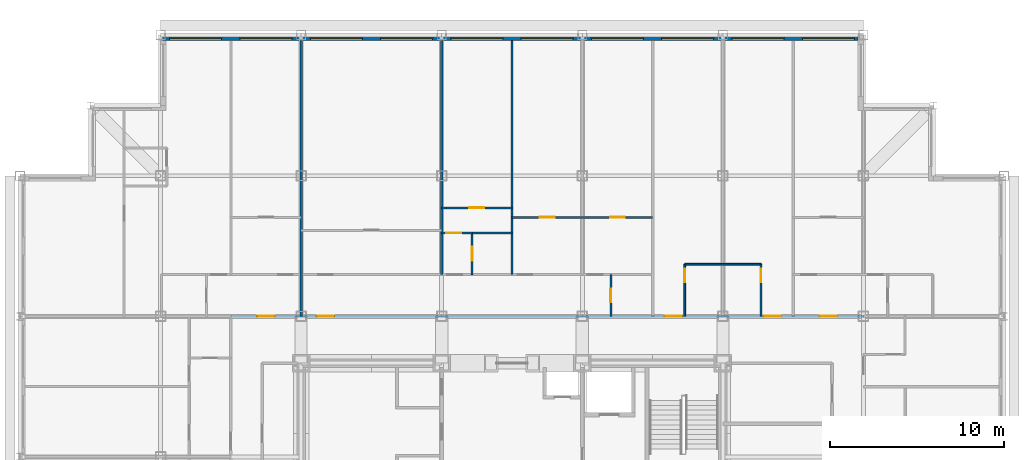
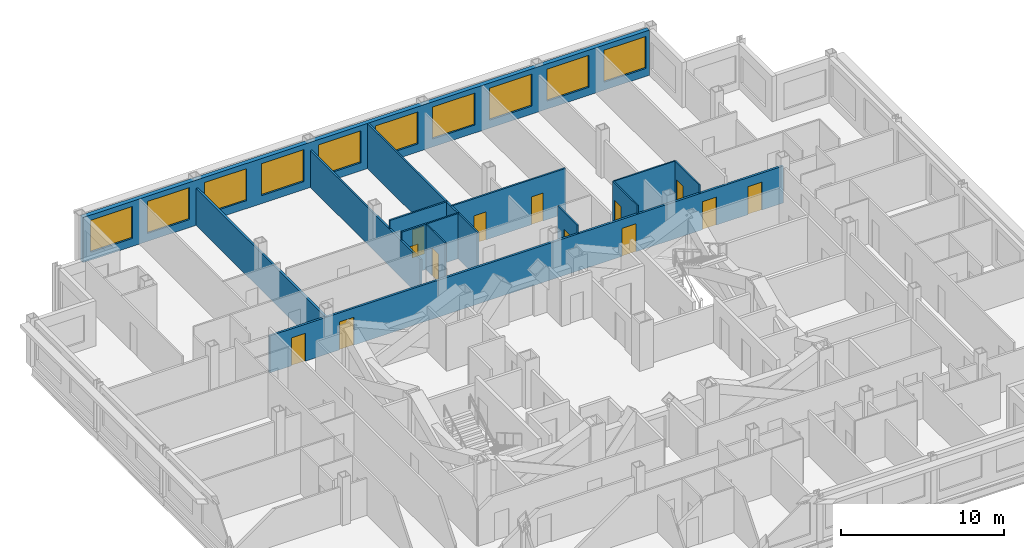
# One storey, part 10 of 12: 14 walls, 13 doors, 10 windows, 23 openings.
"""IFC4 building model written with IfcOpenShell, lengths in metres."""

from ifc_helpers import new_model, si_unit, direction, frame, frame_2d, origin, place, context, subcontext, project, spatial, rectangle, extrude, material, layer, layer_set, type_object, element, fill, save


model = new_model("IFC4")

# Units and contexts
model_context = context("Model", 3, precision=1e-05, world=origin(), true_north=direction((0.0, 1.0)))
body_context = subcontext(model_context, "Body", "Model", "MODEL_VIEW")
ifc_project = project(units=[si_unit("LENGTHUNIT", "METRE"), si_unit("AREAUNIT", "SQUARE_METRE"), si_unit("VOLUMEUNIT", "CUBIC_METRE"), si_unit("PLANEANGLEUNIT", "RADIAN"), si_unit("MASSUNIT", "GRAM", prefix="KILO")], contexts=[model_context])

# Site, building, storey
site_placement = place(None, origin())
site = spatial("IfcSite", under=ifc_project, at=site_placement, CompositionType="ELEMENT")
building_placement = place(site_placement, origin())
building = spatial("IfcBuilding", under=site, at=building_placement, Name="Kopane Lantern Tower", CompositionType="ELEMENT")
storey_placement = place(building_placement, frame((0.0, 0.0, 213.60009765625)))
storey = spatial("IfcBuildingStorey", under=building, at=storey_placement, Name="L55", CompositionType="ELEMENT", Elevation=213.60009765625)

# Walls
ifc_material_1 = material(Name="Gypsum board on steel studs", Category="steel")
ifc_layer_1 = layer(ifc_material_1, 0.1201171875)
ifc_layer_set_1 = layer_set([ifc_layer_1], Name="APARTMENT INTERNAL WALL 120")
wall_type_1 = type_object("IfcWallType", Name="APARTMENT INTERNAL WALL 120", PredefinedType="PARTITIONING", material=ifc_layer_set_1)
wall_1_placement = place(storey_placement, frame((24.300048828125, 45.60009765625, 0.0), z_axis=(0.0, 0.0, 1.0), x_axis=(0.0, 1.0, 0.0)))
element("IfcWall", 1, at=wall_1_placement, inside=storey, type_object=wall_type_1, Name="Apartment Internal Wall 120 L55", PredefinedType="PARTITIONING", context=body_context, shape_type="SweptSolid", body=[
    extrude(rectangle(XDim=13.5, YDim=0.1201171875, at=frame_2d((6.75, 0.0))), origin(), (0.0, 0.0, 1.0), 2.777587890625),
])
wall_2_placement = place(storey_placement, frame((28.35009765625, 45.60009765625, 0.0), z_axis=(0.0, 0.0, 1.0), x_axis=(0.0, 1.0, 0.0)))
element("IfcWall", 2, at=wall_2_placement, inside=storey, type_object=wall_type_1, Name="Apartment Internal Wall 120 L55", PredefinedType="PARTITIONING", context=body_context, shape_type="SweptSolid", body=[
    extrude(rectangle(XDim=13.5, YDim=0.1201171875, at=frame_2d((6.75, 0.0))), origin(), (0.0, 0.0, 1.0), 3.389892578125),
])

# Wall, opening, door
wall_3_placement = place(storey_placement, frame((24.300048828125, 48.0, 0.0), z_axis=(0.0, 0.0, 1.0), x_axis=(1.0, 0.0, 0.0)))
wall_3 = element("IfcWall", 3, at=wall_3_placement, inside=storey, type_object=wall_type_1, Name="Apartment Internal Wall 120 L55", PredefinedType="PARTITIONING", context=body_context, shape_type="SweptSolid", body=[
    extrude(rectangle(XDim=1.760009765625, YDim=0.1201171875, at=frame_2d((0.8798828125, 0.0))), origin(), (0.0, 0.0, 1.0), 3.389892578125),
])
opening_1_placement = place(wall_3_placement, frame((0.27490234375, 0.0, 0.0)))
opening_1 = element("IfcOpeningElement", 4, at=opening_1_placement, cuts=wall_3, Name="Opening L55-070", PredefinedType="OPENING", context=body_context, shape_type="SweptSolid", body=[
    extrude(rectangle(XDim=0.85009765625, YDim=2.10009765625, at=frame_2d((0.425048828125, 1.050048828125))), frame((0.0, 0.070068359375, 0.0), z_axis=(0.0, -1.0, 0.0), x_axis=(1.0, 0.0, 0.0)), (0.0, 0.0, 1.0), 0.14013671875),
])
ifc_material_2 = material(Name="Timber door set", Category="wood")
door_type_1 = type_object("IfcDoorType", Name="DOOR D4 850x2100", OperationType="SINGLE_SWING_LEFT", PredefinedType="DOOR", material=ifc_material_2)
door_1_placement = place(opening_1_placement, origin())
door_1 = element("IfcDoor", 5, at=door_1_placement, inside=storey, type_object=door_type_1, Name="Door L55-070", OperationType="SINGLE_SWING_LEFT", OverallHeight=2.10009765625, OverallWidth=0.85009765625, PredefinedType="DOOR", context=body_context, shape_type="SweptSolid", body=[
    extrude(rectangle(XDim=0.85009765625, YDim=2.10009765625, at=frame_2d((0.425048828125, 1.050048828125))), frame((0.0, 0.02490234375, 0.0), z_axis=(0.0, -1.0, 0.0), x_axis=(1.0, 0.0, 0.0)), (0.0, 0.0, 1.0), 0.050048828125),
])
fill(opening_1, door_1)

wall_4_placement = place(storey_placement, frame((24.300048828125, 49.449951171875, 0.0), z_axis=(0.0, 0.0, 1.0), x_axis=(1.0, 0.0, 0.0)))
wall_4 = element("IfcWall", 6, at=wall_4_placement, inside=storey, type_object=wall_type_1, Name="Apartment Internal Wall 120 L55", PredefinedType="PARTITIONING", context=body_context, shape_type="SweptSolid", body=[
    extrude(rectangle(XDim=4.050048828125, YDim=0.1201171875, at=frame_2d((2.02490234375, 0.0))), origin(), (0.0, 0.0, 1.0), 3.389892578125),
])
opening_2_placement = place(wall_4_placement, frame((1.60009765625, 0.0, 0.0)))
opening_2 = element("IfcOpeningElement", 7, at=opening_2_placement, cuts=wall_4, Name="Opening L55-074", PredefinedType="OPENING", context=body_context, shape_type="SweptSolid", body=[
    extrude(rectangle(XDim=0.85009765625, YDim=2.10009765625, at=frame_2d((0.425048828125, 1.050048828125))), frame((0.0, 0.070068359375, 0.0), z_axis=(0.0, -1.0, 0.0), x_axis=(1.0, 0.0, 0.0)), (0.0, 0.0, 1.0), 0.14013671875),
])
door_2_placement = place(opening_2_placement, origin())
door_2 = element("IfcDoor", 8, at=door_2_placement, inside=storey, type_object=door_type_1, Name="Door L55-074", OperationType="SINGLE_SWING_RIGHT", OverallHeight=2.10009765625, OverallWidth=0.85009765625, PredefinedType="DOOR", context=body_context, shape_type="SweptSolid", body=[
    extrude(rectangle(XDim=0.85009765625, YDim=2.10009765625, at=frame_2d((0.425048828125, 1.050048828125))), frame((0.0, 0.02490234375, 0.0), z_axis=(0.0, -1.0, 0.0), x_axis=(1.0, 0.0, 0.0)), (0.0, 0.0, 1.0), 0.050048828125),
])
fill(opening_2, door_2)

# Wall, openings, doors
wall_5_placement = place(storey_placement, frame((28.35009765625, 48.89990234375, 0.0), z_axis=(0.0, 0.0, 1.0), x_axis=(1.0, 0.0, 0.0)))
wall_5 = element("IfcWall", 9, at=wall_5_placement, inside=storey, type_object=wall_type_1, Name="Apartment Internal Wall 120 L55", PredefinedType="PARTITIONING", context=body_context, shape_type="SweptSolid", body=[
    extrude(rectangle(XDim=8.099853515625, YDim=0.1201171875, at=frame_2d((4.0498046875, 0.0))), origin(), (0.0, 0.0, 1.0), 3.389892578125),
])
opening_3_placement = place(wall_5_placement, frame((1.60009765625, 0.0, 0.0)))
opening_3 = element("IfcOpeningElement", 10, at=opening_3_placement, cuts=wall_5, Name="Opening L55-075", PredefinedType="OPENING", context=body_context, shape_type="SweptSolid", body=[
    extrude(rectangle(XDim=0.85009765625, YDim=2.10009765625, at=frame_2d((0.425048828125, 1.050048828125))), frame((0.0, 0.070068359375, 0.0), z_axis=(0.0, -1.0, 0.0), x_axis=(1.0, 0.0, 0.0)), (0.0, 0.0, 1.0), 0.14013671875),
])
opening_4_placement = place(wall_5_placement, frame((5.64990234375, 0.0, 0.0)))
opening_4 = element("IfcOpeningElement", 11, at=opening_4_placement, cuts=wall_5, Name="Opening L55-076", PredefinedType="OPENING", context=body_context, shape_type="SweptSolid", body=[
    extrude(rectangle(XDim=0.85009765625, YDim=2.10009765625, at=frame_2d((0.425048828125, 1.050048828125))), frame((0.0, 0.070068359375, 0.0), z_axis=(0.0, -1.0, 0.0), x_axis=(1.0, 0.0, 0.0)), (0.0, 0.0, 1.0), 0.14013671875),
])
door_3_placement = place(opening_3_placement, origin())
door_3 = element("IfcDoor", 12, at=door_3_placement, inside=storey, type_object=door_type_1, Name="Door L55-075", OperationType="SINGLE_SWING_RIGHT", OverallHeight=2.10009765625, OverallWidth=0.85009765625, PredefinedType="DOOR", context=body_context, shape_type="SweptSolid", body=[
    extrude(rectangle(XDim=0.85009765625, YDim=2.10009765625, at=frame_2d((0.425048828125, 1.050048828125))), frame((0.0, 0.02490234375, 0.0), z_axis=(0.0, -1.0, 0.0), x_axis=(1.0, 0.0, 0.0)), (0.0, 0.0, 1.0), 0.050048828125),
])
fill(opening_3, door_3)
door_4_placement = place(opening_4_placement, origin())
door_4 = element("IfcDoor", 13, at=door_4_placement, inside=storey, type_object=door_type_1, Name="Door L55-076", OperationType="SINGLE_SWING_LEFT", OverallHeight=2.10009765625, OverallWidth=0.85009765625, PredefinedType="DOOR", context=body_context, shape_type="SweptSolid", body=[
    extrude(rectangle(XDim=0.85009765625, YDim=2.10009765625, at=frame_2d((0.425048828125, 1.050048828125))), frame((0.0, 0.02490234375, 0.0), z_axis=(0.0, -1.0, 0.0), x_axis=(1.0, 0.0, 0.0)), (0.0, 0.0, 1.0), 0.050048828125),
])
fill(opening_4, door_4)

# Wall, opening, door
ifc_material_3 = material(Name="Moisture-resistant board on steel studs", Category="steel")
ifc_layer_2 = layer(ifc_material_3, 0.10009765625)
ifc_layer_set_2 = layer_set([ifc_layer_2], Name="BATHROOM WALL 100")
wall_type_2 = type_object("IfcWallType", Name="BATHROOM WALL 100", PredefinedType="PARTITIONING", material=ifc_layer_set_2)
wall_6_placement = place(storey_placement, frame((34.050048828125, 43.199951171875, 0.0), z_axis=(0.0, 0.0, 1.0), x_axis=(0.0, 1.0, 0.0)))
wall_6 = element("IfcWall", 14, at=wall_6_placement, inside=storey, type_object=wall_type_2, Name="Bathroom Wall 100 L55", PredefinedType="PARTITIONING", context=body_context, shape_type="SweptSolid", body=[
    extrude(rectangle(XDim=2.400146484375, YDim=0.10009765625, at=frame_2d((1.2001953125, 0.0))), origin(), (0.0, 0.0, 1.0), 3.389892578125),
])
opening_5_placement = place(wall_6_placement, frame((0.800048828125, 0.0, 0.0)))
opening_5 = element("IfcOpeningElement", 15, at=opening_5_placement, cuts=wall_6, Name="Opening L55-024", PredefinedType="OPENING", context=body_context, shape_type="SweptSolid", body=[
    extrude(rectangle(XDim=0.800048828125, YDim=2.10009765625, at=frame_2d((0.39990234375, 1.050048828125))), frame((0.0, 0.06005859375, 0.0), z_axis=(0.0, -1.0, 0.0), x_axis=(1.0, 0.0, 0.0)), (0.0, 0.0, 1.0), 0.1201171875),
])
ifc_material_4 = material(Name="Timber door set", Category="wood")
door_type_2 = type_object("IfcDoorType", Name="DOOR D2 800x2100", OperationType="SINGLE_SWING_LEFT", PredefinedType="DOOR", material=ifc_material_4)
door_5_placement = place(opening_5_placement, origin())
door_5 = element("IfcDoor", 16, at=door_5_placement, inside=storey, type_object=door_type_2, Name="Door L55-024", OperationType="SINGLE_SWING_RIGHT", OverallHeight=2.10009765625, OverallWidth=0.800048828125, PredefinedType="DOOR", context=body_context, shape_type="SweptSolid", body=[
    extrude(rectangle(XDim=0.800048828125, YDim=2.10009765625, at=frame_2d((0.39990234375, 1.050048828125))), frame((0.0, 0.02490234375, 0.0), z_axis=(0.0, -1.0, 0.0), x_axis=(1.0, 0.0, 0.0)), (0.0, 0.0, 1.0), 0.050048828125),
])
fill(opening_5, door_5)

wall_7_placement = place(storey_placement, frame((26.050048828125, 45.60009765625, 0.0), z_axis=(0.0, 0.0, 1.0), x_axis=(0.0, 1.0, 0.0)))
wall_7 = element("IfcWall", 17, at=wall_7_placement, inside=storey, type_object=wall_type_2, Name="Bathroom Wall 100 L55", PredefinedType="PARTITIONING", context=body_context, shape_type="SweptSolid", body=[
    extrude(rectangle(XDim=2.39990234375, YDim=0.10009765625, at=frame_2d((1.199951171875, 0.0))), origin(), (0.0, 0.0, 1.0), 3.389892578125),
])
opening_6_placement = place(wall_7_placement, frame((0.800048828125, 0.0, 0.0)))
opening_6 = element("IfcOpeningElement", 18, at=opening_6_placement, cuts=wall_7, Name="Opening L55-027", PredefinedType="OPENING", context=body_context, shape_type="SweptSolid", body=[
    extrude(rectangle(XDim=0.800048828125, YDim=2.10009765625, at=frame_2d((0.39990234375, 1.050048828125))), frame((0.0, 0.06005859375, 0.0), z_axis=(0.0, -1.0, 0.0), x_axis=(1.0, 0.0, 0.0)), (0.0, 0.0, 1.0), 0.1201171875),
])
door_6_placement = place(opening_6_placement, origin())
door_6 = element("IfcDoor", 19, at=door_6_placement, inside=storey, type_object=door_type_2, Name="Door L55-027", OperationType="SINGLE_SWING_RIGHT", OverallHeight=2.10009765625, OverallWidth=0.800048828125, PredefinedType="DOOR", context=body_context, shape_type="SweptSolid", body=[
    extrude(rectangle(XDim=0.800048828125, YDim=2.10009765625, at=frame_2d((0.39990234375, 1.050048828125))), frame((0.0, 0.02490234375, 0.0), z_axis=(0.0, -1.0, 0.0), x_axis=(1.0, 0.0, 0.0)), (0.0, 0.0, 1.0), 0.050048828125),
])
fill(opening_6, door_6)

# Walls
wall_8_placement = place(storey_placement, frame((26.050048828125, 48.0, 0.0), z_axis=(0.0, 0.0, 1.0), x_axis=(1.0, 0.0, 0.0)))
element("IfcWall", 20, at=wall_8_placement, inside=storey, type_object=wall_type_2, Name="Bathroom Wall 100 L55", PredefinedType="PARTITIONING", context=body_context, shape_type="SweptSolid", body=[
    extrude(rectangle(XDim=2.300048828125, YDim=0.10009765625, at=frame_2d((1.14990234375, 0.0))), origin(), (0.0, 0.0, 1.0), 3.389892578125),
])
wall_9_placement = place(storey_placement, frame((38.300048828125, 46.199951171875, 0.0), z_axis=(0.0, 0.0, 1.0), x_axis=(1.0, 0.0, 0.0)))
element("IfcWall", 21, at=wall_9_placement, inside=storey, type_object=wall_type_2, Name="Bathroom Wall 100 L55", PredefinedType="PARTITIONING", context=body_context, shape_type="SweptSolid", body=[
    extrude(rectangle(XDim=4.39990234375, YDim=0.10009765625, at=frame_2d((2.199951171875, 0.0))), origin(), (0.0, 0.0, 1.0), 3.389892578125),
])

# Wall, opening, door
wall_10_placement = place(storey_placement, frame((38.300048828125, 43.199951171875, 0.0), z_axis=(0.0, 0.0, 1.0), x_axis=(0.0, 1.0, 0.0)))
wall_10 = element("IfcWall", 22, at=wall_10_placement, inside=storey, type_object=wall_type_2, Name="Bathroom Wall 100 L55", PredefinedType="PARTITIONING", context=body_context, shape_type="SweptSolid", body=[
    extrude(rectangle(XDim=3.0, YDim=0.10009765625, at=frame_2d((1.5, 0.0))), origin(), (0.0, 0.0, 1.0), 3.389892578125),
])
opening_7_placement = place(wall_10_placement, frame((1.949951171875, 0.0, 0.0)))
opening_7 = element("IfcOpeningElement", 23, at=opening_7_placement, cuts=wall_10, Name="Opening L55-031", PredefinedType="OPENING", context=body_context, shape_type="SweptSolid", body=[
    extrude(rectangle(XDim=0.800048828125, YDim=2.10009765625, at=frame_2d((0.39990234375, 1.050048828125))), frame((0.0, 0.06005859375, 0.0), z_axis=(0.0, -1.0, 0.0), x_axis=(1.0, 0.0, 0.0)), (0.0, 0.0, 1.0), 0.1201171875),
])
door_7_placement = place(opening_7_placement, origin())
door_7 = element("IfcDoor", 24, at=door_7_placement, inside=storey, type_object=door_type_2, Name="Door L55-031", OperationType="SINGLE_SWING_LEFT", OverallHeight=2.10009765625, OverallWidth=0.800048828125, PredefinedType="DOOR", context=body_context, shape_type="SweptSolid", body=[
    extrude(rectangle(XDim=0.800048828125, YDim=2.10009765625, at=frame_2d((0.39990234375, 1.050048828125))), frame((0.0, 0.02490234375, 0.0), z_axis=(0.0, -1.0, 0.0), x_axis=(1.0, 0.0, 0.0)), (0.0, 0.0, 1.0), 0.050048828125),
])
fill(opening_7, door_7)

wall_11_placement = place(storey_placement, frame((42.699951171875, 43.199951171875, 0.0), z_axis=(0.0, 0.0, 1.0), x_axis=(0.0, 1.0, 0.0)))
wall_11 = element("IfcWall", 25, at=wall_11_placement, inside=storey, type_object=wall_type_2, Name="Bathroom Wall 100 L55", PredefinedType="PARTITIONING", context=body_context, shape_type="SweptSolid", body=[
    extrude(rectangle(XDim=3.0, YDim=0.10009765625, at=frame_2d((1.5, 0.0))), origin(), (0.0, 0.0, 1.0), 3.389892578125),
])
opening_8_placement = place(wall_11_placement, frame((1.949951171875, 0.0, 0.0)))
opening_8 = element("IfcOpeningElement", 26, at=opening_8_placement, cuts=wall_11, Name="Opening L55-033", PredefinedType="OPENING", context=body_context, shape_type="SweptSolid", body=[
    extrude(rectangle(XDim=0.800048828125, YDim=2.10009765625, at=frame_2d((0.39990234375, 1.050048828125))), frame((0.0, 0.06005859375, 0.0), z_axis=(0.0, -1.0, 0.0), x_axis=(1.0, 0.0, 0.0)), (0.0, 0.0, 1.0), 0.1201171875),
])
door_8_placement = place(opening_8_placement, origin())
door_8 = element("IfcDoor", 27, at=door_8_placement, inside=storey, type_object=door_type_2, Name="Door L55-033", OperationType="SINGLE_SWING_RIGHT", OverallHeight=2.10009765625, OverallWidth=0.800048828125, PredefinedType="DOOR", context=body_context, shape_type="SweptSolid", body=[
    extrude(rectangle(XDim=0.800048828125, YDim=2.10009765625, at=frame_2d((0.39990234375, 1.050048828125))), frame((0.0, 0.02490234375, 0.0), z_axis=(0.0, -1.0, 0.0), x_axis=(1.0, 0.0, 0.0)), (0.0, 0.0, 1.0), 0.050048828125),
])
fill(opening_8, door_8)

# Wall, openings, doors
ifc_material_5 = material(Name="Gypsum board on steel studs", Category="steel")
ifc_layer_3 = layer(ifc_material_5, 0.14990234375)
ifc_layer_set_3 = layer_set([ifc_layer_3], Name="CORRIDOR WALL 150 EI 60")
wall_type_3 = type_object("IfcWallType", Name="CORRIDOR WALL 150 EI 60", PredefinedType="PARTITIONING", material=ifc_layer_set_3)
wall_12_placement = place(storey_placement, frame((12.14990234375, 43.199951171875, 0.0), z_axis=(0.0, 0.0, 1.0), x_axis=(1.0, 0.0, 0.0)))
wall_12 = element("IfcWall", 28, at=wall_12_placement, inside=storey, type_object=wall_type_3, Name="Corridor Wall 150 Ei 60 L55", PredefinedType="PARTITIONING", context=body_context, shape_type="SweptSolid", body=[
    extrude(rectangle(XDim=36.4501953125, YDim=0.14990234375, at=frame_2d((18.22509765625, 0.0))), origin(), (0.0, 0.0, 1.0), 2.777587890625),
])
opening_9_placement = place(wall_12_placement, frame((4.949951171875, 0.0, 0.0)))
opening_9 = element("IfcOpeningElement", 29, at=opening_9_placement, cuts=wall_12, Name="Opening L55-025", PredefinedType="OPENING", context=body_context, shape_type="SweptSolid", body=[
    extrude(rectangle(XDim=1.0, YDim=2.10009765625, at=frame_2d((0.5, 1.050048828125))), frame((0.0, 0.0849609375, 0.0), z_axis=(0.0, -1.0, 0.0), x_axis=(1.0, 0.0, 0.0)), (0.0, 0.0, 1.0), 0.169921875),
])
opening_10_placement = place(wall_12_placement, frame((25.0, 0.0, 0.0)))
opening_10 = element("IfcOpeningElement", 30, at=opening_10_placement, cuts=wall_12, Name="Opening L55-032", PredefinedType="OPENING", context=body_context, shape_type="SweptSolid", body=[
    extrude(rectangle(XDim=1.0, YDim=2.10009765625, at=frame_2d((0.5, 1.050048828125))), frame((0.0, 0.0849609375, 0.0), z_axis=(0.0, -1.0, 0.0), x_axis=(1.0, 0.0, 0.0)), (0.0, 0.0, 1.0), 0.169921875),
])
opening_11_placement = place(wall_12_placement, frame((30.699951171875, 0.0, 0.0)))
opening_11 = element("IfcOpeningElement", 31, at=opening_11_placement, cuts=wall_12, Name="Opening L55-034", PredefinedType="OPENING", context=body_context, shape_type="SweptSolid", body=[
    extrude(rectangle(XDim=1.0, YDim=2.10009765625, at=frame_2d((0.5, 1.050048828125))), frame((0.0, 0.0849609375, 0.0), z_axis=(0.0, -1.0, 0.0), x_axis=(1.0, 0.0, 0.0)), (0.0, 0.0, 1.0), 0.169921875),
])
opening_12_placement = place(wall_12_placement, frame((33.925048828125, 0.0, 0.0)))
opening_12 = element("IfcOpeningElement", 32, at=opening_12_placement, cuts=wall_12, Name="Opening L55-061", PredefinedType="OPENING", context=body_context, shape_type="SweptSolid", body=[
    extrude(rectangle(XDim=1.0, YDim=2.10009765625, at=frame_2d((0.5, 1.050048828125))), frame((0.0, 0.0849609375, 0.0), z_axis=(0.0, -1.0, 0.0), x_axis=(1.0, 0.0, 0.0)), (0.0, 0.0, 1.0), 0.169921875),
])
opening_13_placement = place(wall_12_placement, frame((1.52490234375, 0.0, 0.0)))
opening_13 = element("IfcOpeningElement", 33, at=opening_13_placement, cuts=wall_12, Name="Opening L55-065", PredefinedType="OPENING", context=body_context, shape_type="SweptSolid", body=[
    extrude(rectangle(XDim=1.0, YDim=2.10009765625, at=frame_2d((0.5, 1.050048828125))), frame((0.0, 0.0849609375, 0.0), z_axis=(0.0, -1.0, 0.0), x_axis=(1.0, 0.0, 0.0)), (0.0, 0.0, 1.0), 0.169921875),
])
ifc_material_6 = material(Name="Steel door set", Category="steel")
door_type_3 = type_object("IfcDoorType", Name="DOOR D3 1000x2100 FD30S", OperationType="SINGLE_SWING_LEFT", PredefinedType="DOOR", material=ifc_material_6)
door_9_placement = place(opening_9_placement, origin())
door_9 = element("IfcDoor", 34, at=door_9_placement, inside=storey, type_object=door_type_3, Name="Door L55-025", OperationType="SINGLE_SWING_LEFT", OverallHeight=2.10009765625, OverallWidth=1.0, PredefinedType="DOOR", context=body_context, shape_type="SweptSolid", body=[
    extrude(rectangle(XDim=1.0, YDim=2.10009765625, at=frame_2d((0.5, 1.050048828125))), frame((0.0, 0.02490234375, 0.0), z_axis=(0.0, -1.0, 0.0), x_axis=(1.0, 0.0, 0.0)), (0.0, 0.0, 1.0), 0.050048828125),
])
fill(opening_9, door_9)
door_10_placement = place(opening_10_placement, origin())
door_10 = element("IfcDoor", 35, at=door_10_placement, inside=storey, type_object=door_type_3, Name="Door L55-032", OperationType="SINGLE_SWING_RIGHT", OverallHeight=2.10009765625, OverallWidth=1.0, PredefinedType="DOOR", context=body_context, shape_type="SweptSolid", body=[
    extrude(rectangle(XDim=1.0, YDim=2.10009765625, at=frame_2d((0.5, 1.050048828125))), frame((0.0, 0.02490234375, 0.0), z_axis=(0.0, -1.0, 0.0), x_axis=(1.0, 0.0, 0.0)), (0.0, 0.0, 1.0), 0.050048828125),
])
fill(opening_10, door_10)
door_11_placement = place(opening_11_placement, origin())
door_11 = element("IfcDoor", 36, at=door_11_placement, inside=storey, type_object=door_type_3, Name="Door L55-034", OperationType="SINGLE_SWING_LEFT", OverallHeight=2.10009765625, OverallWidth=1.0, PredefinedType="DOOR", context=body_context, shape_type="SweptSolid", body=[
    extrude(rectangle(XDim=1.0, YDim=2.10009765625, at=frame_2d((0.5, 1.050048828125))), frame((0.0, 0.02490234375, 0.0), z_axis=(0.0, -1.0, 0.0), x_axis=(1.0, 0.0, 0.0)), (0.0, 0.0, 1.0), 0.050048828125),
])
fill(opening_11, door_11)
door_12_placement = place(opening_12_placement, origin())
door_12 = element("IfcDoor", 37, at=door_12_placement, inside=storey, type_object=door_type_3, Name="Door L55-061", OperationType="SINGLE_SWING_LEFT", OverallHeight=2.10009765625, OverallWidth=1.0, PredefinedType="DOOR", context=body_context, shape_type="SweptSolid", body=[
    extrude(rectangle(XDim=1.0, YDim=2.10009765625, at=frame_2d((0.5, 1.050048828125))), frame((0.0, 0.02490234375, 0.0), z_axis=(0.0, -1.0, 0.0), x_axis=(1.0, 0.0, 0.0)), (0.0, 0.0, 1.0), 0.050048828125),
])
fill(opening_12, door_12)
door_13_placement = place(opening_13_placement, origin())
door_13 = element("IfcDoor", 38, at=door_13_placement, inside=storey, type_object=door_type_3, Name="Door L55-065", OperationType="SINGLE_SWING_RIGHT", OverallHeight=2.10009765625, OverallWidth=1.0, PredefinedType="DOOR", context=body_context, shape_type="SweptSolid", body=[
    extrude(rectangle(XDim=1.0, YDim=2.10009765625, at=frame_2d((0.5, 1.050048828125))), frame((0.0, 0.02490234375, 0.0), z_axis=(0.0, -1.0, 0.0), x_axis=(1.0, 0.0, 0.0)), (0.0, 0.0, 1.0), 0.050048828125),
])
fill(opening_13, door_13)

# Wall
ifc_material_7 = material(Name="Gypsum board on steel studs", Category="steel")
ifc_layer_4 = layer(ifc_material_7, 0.14990234375)
ifc_layer_set_4 = layer_set([ifc_layer_4], Name="DEMISING WALL 150 EI 60")
wall_type_4 = type_object("IfcWallType", Name="DEMISING WALL 150 EI 60", PredefinedType="PARTITIONING", material=ifc_layer_set_4)
wall_13_placement = place(storey_placement, frame((16.199951171875, 43.199951171875, 0.0), z_axis=(0.0, 0.0, 1.0), x_axis=(0.0, 1.0, 0.0)))
element("IfcWall", 39, at=wall_13_placement, inside=storey, type_object=wall_type_4, Name="Demising Wall 150 Ei 60 L55", PredefinedType="PARTITIONING", context=body_context, shape_type="SweptSolid", body=[
    extrude(rectangle(XDim=15.900146484375, YDim=0.14990234375, at=frame_2d((7.9501953125, 0.0))), origin(), (0.0, 0.0, 1.0), 2.777587890625),
])

# Wall, openings, windows
ifc_material_8 = material(Name="Terracotta rainscreen on light steel framing", Category="masonry")
ifc_layer_5 = layer(ifc_material_8, 0.300048828125)
ifc_layer_set_5 = layer_set([ifc_layer_5], Name="EXTERNAL WALL EW1 300 TERRACOTTA")
wall_type_5 = type_object("IfcWallType", Name="EXTERNAL WALL EW1 300 TERRACOTTA", PredefinedType="SOLIDWALL", material=ifc_layer_set_5)
wall_14_placement = place(storey_placement, frame((48.300048828125, 59.25, 0.0), z_axis=(0.0, 0.0, 1.0), x_axis=(-1.0, 0.0, 0.0)))
wall_14 = element("IfcWall", 40, at=wall_14_placement, inside=storey, type_object=wall_type_5, Name="External wall N L55", PredefinedType="SOLIDWALL", context=body_context, shape_type="SweptSolid", body=[
    extrude(rectangle(XDim=40.199951171875, YDim=0.300048828125, at=frame_2d((20.10009765625, 0.0))), origin(), (0.0, 0.0, 1.0), 3.389892578125),
])
opening_14_placement = place(wall_14_placement, frame((0.22509765625, 0.0, 0.60009765625)))
opening_14 = element("IfcOpeningElement", 41, at=opening_14_placement, cuts=wall_14, Name="Opening WR300240", PredefinedType="OPENING", context=body_context, shape_type="SweptSolid", body=[
    extrude(rectangle(XDim=3.0, YDim=2.39990234375, at=frame_2d((1.5, 1.199951171875))), frame((0.0, 0.159912109375, 0.0), z_axis=(0.0, -1.0, 0.0), x_axis=(1.0, 0.0, 0.0)), (0.0, 0.0, 1.0), 0.320068359375),
])
opening_15_placement = place(wall_14_placement, frame((4.27490234375, 0.0, 0.60009765625)))
opening_15 = element("IfcOpeningElement", 42, at=opening_15_placement, cuts=wall_14, Name="Opening WR300240", PredefinedType="OPENING", context=body_context, shape_type="SweptSolid", body=[
    extrude(rectangle(XDim=3.0, YDim=2.39990234375, at=frame_2d((1.5, 1.199951171875))), frame((0.0, 0.159912109375, 0.0), z_axis=(0.0, -1.0, 0.0), x_axis=(1.0, 0.0, 0.0)), (0.0, 0.0, 1.0), 0.320068359375),
])
opening_16_placement = place(wall_14_placement, frame((8.324951171875, 0.0, 0.60009765625)))
opening_16 = element("IfcOpeningElement", 43, at=opening_16_placement, cuts=wall_14, Name="Opening WR300240", PredefinedType="OPENING", context=body_context, shape_type="SweptSolid", body=[
    extrude(rectangle(XDim=3.0, YDim=2.39990234375, at=frame_2d((1.5, 1.199951171875))), frame((0.0, 0.159912109375, 0.0), z_axis=(0.0, -1.0, 0.0), x_axis=(1.0, 0.0, 0.0)), (0.0, 0.0, 1.0), 0.320068359375),
])
opening_17_placement = place(wall_14_placement, frame((12.375, 0.0, 0.60009765625)))
opening_17 = element("IfcOpeningElement", 44, at=opening_17_placement, cuts=wall_14, Name="Opening WR300240", PredefinedType="OPENING", context=body_context, shape_type="SweptSolid", body=[
    extrude(rectangle(XDim=3.0, YDim=2.39990234375, at=frame_2d((1.5, 1.199951171875))), frame((0.0, 0.159912109375, 0.0), z_axis=(0.0, -1.0, 0.0), x_axis=(1.0, 0.0, 0.0)), (0.0, 0.0, 1.0), 0.320068359375),
])
opening_18_placement = place(wall_14_placement, frame((16.425048828125, 0.0, 0.60009765625)))
opening_18 = element("IfcOpeningElement", 45, at=opening_18_placement, cuts=wall_14, Name="Opening WR300240", PredefinedType="OPENING", context=body_context, shape_type="SweptSolid", body=[
    extrude(rectangle(XDim=3.0, YDim=2.39990234375, at=frame_2d((1.5, 1.199951171875))), frame((0.0, 0.159912109375, 0.0), z_axis=(0.0, -1.0, 0.0), x_axis=(1.0, 0.0, 0.0)), (0.0, 0.0, 1.0), 0.320068359375),
])
opening_19_placement = place(wall_14_placement, frame((20.47509765625, 0.0, 0.60009765625)))
opening_19 = element("IfcOpeningElement", 46, at=opening_19_placement, cuts=wall_14, Name="Opening WR300240", PredefinedType="OPENING", context=body_context, shape_type="SweptSolid", body=[
    extrude(rectangle(XDim=3.0, YDim=2.39990234375, at=frame_2d((1.5, 1.199951171875))), frame((0.0, 0.159912109375, 0.0), z_axis=(0.0, -1.0, 0.0), x_axis=(1.0, 0.0, 0.0)), (0.0, 0.0, 1.0), 0.320068359375),
])
opening_20_placement = place(wall_14_placement, frame((24.52490234375, 0.0, 0.60009765625)))
opening_20 = element("IfcOpeningElement", 47, at=opening_20_placement, cuts=wall_14, Name="Opening WR300240", PredefinedType="OPENING", context=body_context, shape_type="SweptSolid", body=[
    extrude(rectangle(XDim=3.0, YDim=2.39990234375, at=frame_2d((1.5, 1.199951171875))), frame((0.0, 0.159912109375, 0.0), z_axis=(0.0, -1.0, 0.0), x_axis=(1.0, 0.0, 0.0)), (0.0, 0.0, 1.0), 0.320068359375),
])
opening_21_placement = place(wall_14_placement, frame((28.574951171875, 0.0, 0.60009765625)))
opening_21 = element("IfcOpeningElement", 48, at=opening_21_placement, cuts=wall_14, Name="Opening WR300240", PredefinedType="OPENING", context=body_context, shape_type="SweptSolid", body=[
    extrude(rectangle(XDim=3.0, YDim=2.39990234375, at=frame_2d((1.5, 1.199951171875))), frame((0.0, 0.159912109375, 0.0), z_axis=(0.0, -1.0, 0.0), x_axis=(1.0, 0.0, 0.0)), (0.0, 0.0, 1.0), 0.320068359375),
])
opening_22_placement = place(wall_14_placement, frame((32.625, 0.0, 0.60009765625)))
opening_22 = element("IfcOpeningElement", 49, at=opening_22_placement, cuts=wall_14, Name="Opening WR300240", PredefinedType="OPENING", context=body_context, shape_type="SweptSolid", body=[
    extrude(rectangle(XDim=3.0, YDim=2.39990234375, at=frame_2d((1.5, 1.199951171875))), frame((0.0, 0.159912109375, 0.0), z_axis=(0.0, -1.0, 0.0), x_axis=(1.0, 0.0, 0.0)), (0.0, 0.0, 1.0), 0.320068359375),
])
opening_23_placement = place(wall_14_placement, frame((36.675048828125, 0.0, 0.60009765625)))
opening_23 = element("IfcOpeningElement", 50, at=opening_23_placement, cuts=wall_14, Name="Opening WR300240", PredefinedType="OPENING", context=body_context, shape_type="SweptSolid", body=[
    extrude(rectangle(XDim=3.0, YDim=2.39990234375, at=frame_2d((1.5, 1.199951171875))), frame((0.0, 0.159912109375, 0.0), z_axis=(0.0, -1.0, 0.0), x_axis=(1.0, 0.0, 0.0)), (0.0, 0.0, 1.0), 0.320068359375),
])
ifc_material_9 = material(Name="Aluminium and clear glass", Category="aluminium")
window_type = type_object("IfcWindowType", Name="RIBBON WINDOW WR300240 3000x2400", PartitioningType="SINGLE_PANEL", PredefinedType="WINDOW", material=ifc_material_9)
window_1_placement = place(opening_14_placement, origin())
window_1 = element("IfcWindow", 51, at=window_1_placement, inside=storey, type_object=window_type, Name="Window N L55", OverallHeight=2.39990234375, OverallWidth=3.0, PartitioningType="SINGLE_PANEL", PredefinedType="WINDOW", context=body_context, shape_type="SweptSolid", body=[
    extrude(rectangle(XDim=3.0, YDim=2.39990234375, at=frame_2d((1.5, 1.199951171875))), frame((0.0, 0.030029296875, 0.0), z_axis=(0.0, -1.0, 0.0), x_axis=(1.0, 0.0, 0.0)), (0.0, 0.0, 1.0), 0.06005859375),
])
fill(opening_14, window_1)
window_2_placement = place(opening_15_placement, origin())
window_2 = element("IfcWindow", 52, at=window_2_placement, inside=storey, type_object=window_type, Name="Window N L55", OverallHeight=2.39990234375, OverallWidth=3.0, PartitioningType="SINGLE_PANEL", PredefinedType="WINDOW", context=body_context, shape_type="SweptSolid", body=[
    extrude(rectangle(XDim=3.0, YDim=2.39990234375, at=frame_2d((1.5, 1.199951171875))), frame((0.0, 0.030029296875, 0.0), z_axis=(0.0, -1.0, 0.0), x_axis=(1.0, 0.0, 0.0)), (0.0, 0.0, 1.0), 0.06005859375),
])
fill(opening_15, window_2)
window_3_placement = place(opening_16_placement, origin())
window_3 = element("IfcWindow", 53, at=window_3_placement, inside=storey, type_object=window_type, Name="Window N L55", OverallHeight=2.39990234375, OverallWidth=3.0, PartitioningType="SINGLE_PANEL", PredefinedType="WINDOW", context=body_context, shape_type="SweptSolid", body=[
    extrude(rectangle(XDim=3.0, YDim=2.39990234375, at=frame_2d((1.5, 1.199951171875))), frame((0.0, 0.030029296875, 0.0), z_axis=(0.0, -1.0, 0.0), x_axis=(1.0, 0.0, 0.0)), (0.0, 0.0, 1.0), 0.06005859375),
])
fill(opening_16, window_3)
window_4_placement = place(opening_17_placement, origin())
window_4 = element("IfcWindow", 54, at=window_4_placement, inside=storey, type_object=window_type, Name="Window N L55", OverallHeight=2.39990234375, OverallWidth=3.0, PartitioningType="SINGLE_PANEL", PredefinedType="WINDOW", context=body_context, shape_type="SweptSolid", body=[
    extrude(rectangle(XDim=3.0, YDim=2.39990234375, at=frame_2d((1.5, 1.199951171875))), frame((0.0, 0.030029296875, 0.0), z_axis=(0.0, -1.0, 0.0), x_axis=(1.0, 0.0, 0.0)), (0.0, 0.0, 1.0), 0.06005859375),
])
fill(opening_17, window_4)
window_5_placement = place(opening_18_placement, origin())
window_5 = element("IfcWindow", 55, at=window_5_placement, inside=storey, type_object=window_type, Name="Window N L55", OverallHeight=2.39990234375, OverallWidth=3.0, PartitioningType="SINGLE_PANEL", PredefinedType="WINDOW", context=body_context, shape_type="SweptSolid", body=[
    extrude(rectangle(XDim=3.0, YDim=2.39990234375, at=frame_2d((1.5, 1.199951171875))), frame((0.0, 0.030029296875, 0.0), z_axis=(0.0, -1.0, 0.0), x_axis=(1.0, 0.0, 0.0)), (0.0, 0.0, 1.0), 0.06005859375),
])
fill(opening_18, window_5)
window_6_placement = place(opening_19_placement, origin())
window_6 = element("IfcWindow", 56, at=window_6_placement, inside=storey, type_object=window_type, Name="Window N L55", OverallHeight=2.39990234375, OverallWidth=3.0, PartitioningType="SINGLE_PANEL", PredefinedType="WINDOW", context=body_context, shape_type="SweptSolid", body=[
    extrude(rectangle(XDim=3.0, YDim=2.39990234375, at=frame_2d((1.5, 1.199951171875))), frame((0.0, 0.030029296875, 0.0), z_axis=(0.0, -1.0, 0.0), x_axis=(1.0, 0.0, 0.0)), (0.0, 0.0, 1.0), 0.06005859375),
])
fill(opening_19, window_6)
window_7_placement = place(opening_20_placement, origin())
window_7 = element("IfcWindow", 57, at=window_7_placement, inside=storey, type_object=window_type, Name="Window N L55", OverallHeight=2.39990234375, OverallWidth=3.0, PartitioningType="SINGLE_PANEL", PredefinedType="WINDOW", context=body_context, shape_type="SweptSolid", body=[
    extrude(rectangle(XDim=3.0, YDim=2.39990234375, at=frame_2d((1.5, 1.199951171875))), frame((0.0, 0.030029296875, 0.0), z_axis=(0.0, -1.0, 0.0), x_axis=(1.0, 0.0, 0.0)), (0.0, 0.0, 1.0), 0.06005859375),
])
fill(opening_20, window_7)
window_8_placement = place(opening_21_placement, origin())
window_8 = element("IfcWindow", 58, at=window_8_placement, inside=storey, type_object=window_type, Name="Window N L55", OverallHeight=2.39990234375, OverallWidth=3.0, PartitioningType="SINGLE_PANEL", PredefinedType="WINDOW", context=body_context, shape_type="SweptSolid", body=[
    extrude(rectangle(XDim=3.0, YDim=2.39990234375, at=frame_2d((1.5, 1.199951171875))), frame((0.0, 0.030029296875, 0.0), z_axis=(0.0, -1.0, 0.0), x_axis=(1.0, 0.0, 0.0)), (0.0, 0.0, 1.0), 0.06005859375),
])
fill(opening_21, window_8)
window_9_placement = place(opening_22_placement, origin())
window_9 = element("IfcWindow", 59, at=window_9_placement, inside=storey, type_object=window_type, Name="Window N L55", OverallHeight=2.39990234375, OverallWidth=3.0, PartitioningType="SINGLE_PANEL", PredefinedType="WINDOW", context=body_context, shape_type="SweptSolid", body=[
    extrude(rectangle(XDim=3.0, YDim=2.39990234375, at=frame_2d((1.5, 1.199951171875))), frame((0.0, 0.030029296875, 0.0), z_axis=(0.0, -1.0, 0.0), x_axis=(1.0, 0.0, 0.0)), (0.0, 0.0, 1.0), 0.06005859375),
])
fill(opening_22, window_9)
window_10_placement = place(opening_23_placement, origin())
window_10 = element("IfcWindow", 60, at=window_10_placement, inside=storey, type_object=window_type, Name="Window N L55", OverallHeight=2.39990234375, OverallWidth=3.0, PartitioningType="SINGLE_PANEL", PredefinedType="WINDOW", context=body_context, shape_type="SweptSolid", body=[
    extrude(rectangle(XDim=3.0, YDim=2.39990234375, at=frame_2d((1.5, 1.199951171875))), frame((0.0, 0.030029296875, 0.0), z_axis=(0.0, -1.0, 0.0), x_axis=(1.0, 0.0, 0.0)), (0.0, 0.0, 1.0), 0.06005859375),
])
fill(opening_23, window_10)

save(model, "model.ifc")
